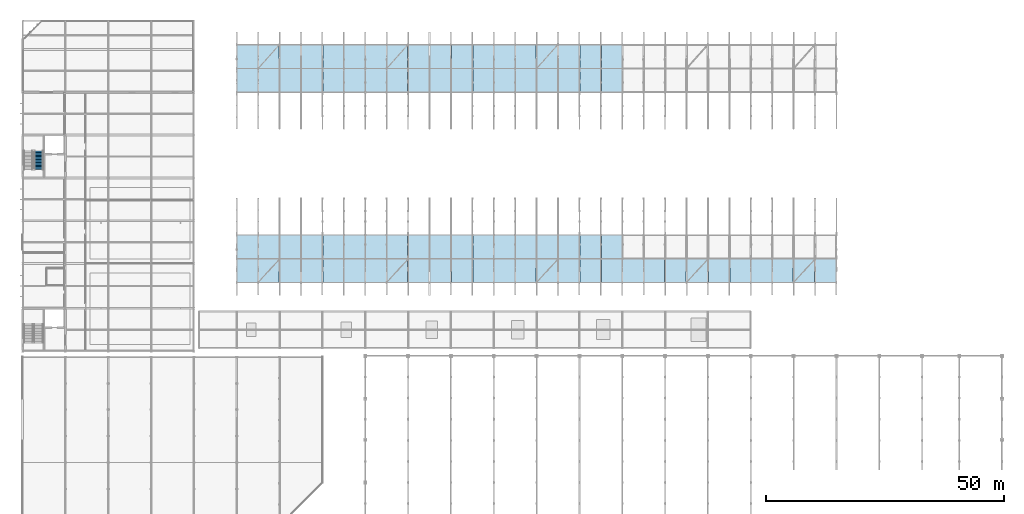
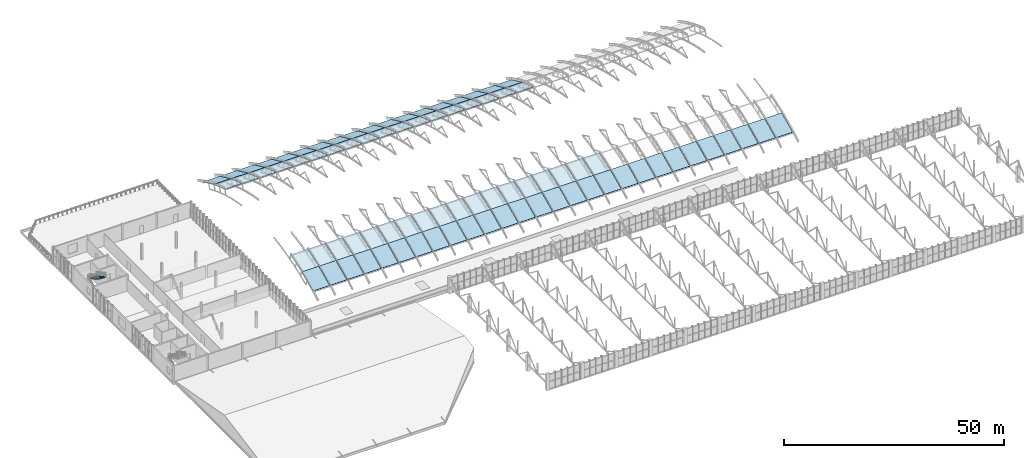
# One storey, part 87 of 103: 82 roofs, 1 stair flight, 1 element without a shape of its own.
"""IFC4 building model written with IfcOpenShell, lengths in metres."""

from ifc_helpers import new_model, si_unit, direction, frame, origin, place, context, subcontext, project, spatial, polyline, outline, extrude, material, type_object, element, aggregate, save


model = new_model("IFC4")

# Units and contexts
model_context = context("Model", 3, precision=1e-05, world=origin(), true_north=direction((0.0, 1.0)))
body_context = subcontext(model_context, "Body", "Model", "MODEL_VIEW")
ifc_project = project(units=[si_unit("LENGTHUNIT", "METRE"), si_unit("AREAUNIT", "SQUARE_METRE"), si_unit("VOLUMEUNIT", "CUBIC_METRE"), si_unit("PLANEANGLEUNIT", "RADIAN"), si_unit("MASSUNIT", "GRAM", prefix="KILO")], contexts=[model_context])

# Site, building, storey
site_placement = place(None, origin())
site = spatial("IfcSite", under=ifc_project, at=site_placement, CompositionType="ELEMENT")
building_placement = place(site_placement, origin())
building = spatial("IfcBuilding", under=site, at=building_placement, Name="Cazmaro Siding Exhibition Halls", CompositionType="ELEMENT")
storey_placement = place(building_placement, frame((0.0, 0.0, 16.5)))
storey = spatial("IfcBuildingStorey", under=building, at=storey_placement, Name="L03", CompositionType="ELEMENT", Elevation=16.5)

# Stair, stair flight
ifc_material_1 = material(Name="Concrete f'c 40 MPa", Category="concrete")
stair_type = type_object("IfcStairType", Name="STT-21", PredefinedType="TWO_STRAIGHT_RUN_STAIR", material=ifc_material_1)
stair_placement = place(storey_placement, origin())
stair = element("IfcStair", 1, at=stair_placement, inside=storey, type_object=stair_type, Name="Core C8 Exit Stair L03-L04 ST-21", PredefinedType="TWO_STRAIGHT_RUN_STAIR")
ifc_material_2 = material(Name="Concrete f'c 40 MPa", Category="concrete")
stair_flight_type = type_object("IfcStairFlightType", Name="STF-21", PredefinedType="STRAIGHT", material=ifc_material_2)
stair_flight_placement = place(storey_placement, frame((3.385009765625, 96.659912109375, 2.25), z_axis=(0.0, 0.0, 1.0), x_axis=(0.0, -1.0, 0.0)))
stair_flight = element("IfcStairFlight", 2, at=stair_flight_placement, type_object=stair_flight_type, Name="ST-21 flight 2", NumberOfRisers=14, NumberOfTreads=13, PredefinedType="STRAIGHT", RiserHeight=0.16071, TreadLength=0.3, context=body_context, shape_type="SweptSolid", body=[
    extrude(outline(polyline([(0.0, 0.0), (0.0, 0.16064453125), (0.300048828125, 0.16064453125), (0.300048828125, 0.321533203125), (0.60009765625, 0.321533203125), (0.60009765625, 0.482177734375), (0.89990234375, 0.482177734375), (0.89990234375, 0.642822265625), (1.199951171875, 0.642822265625), (1.199951171875, 0.803466796875), (1.5, 0.803466796875), (1.5, 0.96435546875), (1.800048828125, 0.96435546875), (1.800048828125, 1.125), (2.10009765625, 1.125), (2.10009765625, 1.28564453125), (2.39990234375, 1.28564453125), (2.39990234375, 1.4462890625), (2.699951171875, 1.4462890625), (2.699951171875, 1.607177734375), (3.0, 1.607177734375), (3.0, 1.767822265625), (3.300048828125, 1.767822265625), (3.300048828125, 1.928466796875), (3.60009765625, 1.928466796875), (3.60009765625, 2.089111328125), (3.89990234375, 2.089111328125), (3.89990234375, 2.25), (3.89990234375, 1.90771484375), (0.338623046875, 0.0), (0.0, 0.0)])), frame((0.0, 0.94482421875, 0.0), z_axis=(0.0, -1.0, 0.0), x_axis=(1.0, 0.0, 0.0)), (0.0, 0.0, 1.0), 1.889892578125),
])
aggregate(stair, [stair_flight])

# Roofs
ifc_material_3 = material(Name="Standing Seam Zinc Insulated Roof Assembly", Category="steel")
roof_type = type_object("IfcRoofType", Name="RF-BARREL-01", PredefinedType="BARREL_ROOF", material=ifc_material_3)
roof_placement = place(storey_placement, frame((45.0849609375, 69.0, 0.56103515625), z_axis=(0.0, -0.421054050781, 0.907035548543), x_axis=(1.0, 0.0, 0.0)))
element("IfcRoof", 3, at=roof_placement, inside=storey, type_object=roof_type, Name="Primary Hall Standing Seam Zinc Roof Cassette RF-V1 002", PredefinedType="BARREL_ROOF", context=body_context, shape_type="SweptSolid", body=[
    extrude(outline(polyline([(0.0, 0.0), (4.330078125, 0.0), (4.330078125, 5.512463109115718), (0.0, 5.512463109115718), (0.0, 0.0)])), origin(), (0.0, 0.0, -1.0), 0.159912109375),
])
for number, where, z_axis, x_axis, name in (
    (4, (45.0849609375, 74.0, 2.882080078125), (0.0, -0.327471825251, 0.94486094409), (1.0, 0.0, 0.0), "Primary Hall Standing Seam Zinc Roof Cassette RF-V1 003"),
    (5, (45.0849609375, 109.0, 4.614990234375), (0.0, 0.327471825251, 0.94486094409), (1.0, 0.0, 0.0), "Primary Hall Standing Seam Zinc Roof Cassette RF-V1 010"),
):
    element("IfcRoof", number, at=place(storey_placement, frame(where, z_axis=z_axis, x_axis=x_axis)), inside=storey, type_object=roof_type, Name=name, PredefinedType="BARREL_ROOF", context=body_context, shape_type="SweptSolid", body=[
        extrude(outline(polyline([(0.0, 0.0), (4.330078125, 0.0), (4.330078125, 5.291783972313534), (0.0, 5.291783972313534), (0.0, 0.0)])), origin(), (0.0, 0.0, -1.0), 0.159912109375),
    ])
for number, where, z_axis, x_axis, name in (
    (6, (45.0849609375, 114.0, 2.882080078125), (0.0, 0.421054050781, 0.907035548543), (1.0, 0.0, 0.0), "Primary Hall Standing Seam Zinc Roof Cassette RF-V1 011"),
    (7, (49.5849609375, 69.0, 0.56103515625), (0.0, -0.421054050781, 0.907035548543), (1.0, 0.0, 0.0), "Primary Hall Standing Seam Zinc Roof Cassette RF-V1 014"),
):
    element("IfcRoof", number, at=place(storey_placement, frame(where, z_axis=z_axis, x_axis=x_axis)), inside=storey, type_object=roof_type, Name=name, PredefinedType="BARREL_ROOF", context=body_context, shape_type="SweptSolid", body=[
        extrude(outline(polyline([(0.0, 0.0), (4.330078125, 0.0), (4.330078125, 5.512463109115718), (0.0, 5.512463109115718), (0.0, 0.0)])), origin(), (0.0, 0.0, -1.0), 0.159912109375),
    ])
for number, where, z_axis, x_axis, name in (
    (8, (49.5849609375, 74.0, 2.882080078125), (0.0, -0.327471825251, 0.94486094409), (1.0, 0.0, 0.0), "Primary Hall Standing Seam Zinc Roof Cassette RF-V1 015"),
    (9, (49.5849609375, 109.0, 4.614990234375), (0.0, 0.327471825251, 0.94486094409), (1.0, 0.0, 0.0), "Primary Hall Standing Seam Zinc Roof Cassette RF-V1 022"),
):
    element("IfcRoof", number, at=place(storey_placement, frame(where, z_axis=z_axis, x_axis=x_axis)), inside=storey, type_object=roof_type, Name=name, PredefinedType="BARREL_ROOF", context=body_context, shape_type="SweptSolid", body=[
        extrude(outline(polyline([(0.0, 0.0), (4.330078125, 0.0), (4.330078125, 5.291783972313534), (0.0, 5.291783972313534), (0.0, 0.0)])), origin(), (0.0, 0.0, -1.0), 0.159912109375),
    ])
for number, where, z_axis, x_axis, name in (
    (10, (49.5849609375, 114.0, 2.882080078125), (0.0, 0.421054050781, 0.907035548543), (1.0, 0.0, 0.0), "Primary Hall Standing Seam Zinc Roof Cassette RF-V1 023"),
    (11, (54.0849609375, 69.0, 0.56103515625), (0.0, -0.421054050781, 0.907035548543), (1.0, 0.0, 0.0), "Primary Hall Standing Seam Zinc Roof Cassette RF-V1 026"),
):
    element("IfcRoof", number, at=place(storey_placement, frame(where, z_axis=z_axis, x_axis=x_axis)), inside=storey, type_object=roof_type, Name=name, PredefinedType="BARREL_ROOF", context=body_context, shape_type="SweptSolid", body=[
        extrude(outline(polyline([(0.0, 0.0), (4.330078125, 0.0), (4.330078125, 5.512463109115718), (0.0, 5.512463109115718), (0.0, 0.0)])), origin(), (0.0, 0.0, -1.0), 0.159912109375),
    ])
for number, where, z_axis, x_axis, name in (
    (12, (54.0849609375, 74.0, 2.882080078125), (0.0, -0.327471825251, 0.94486094409), (1.0, 0.0, 0.0), "Primary Hall Standing Seam Zinc Roof Cassette RF-V1 027"),
    (13, (54.0849609375, 109.0, 4.614990234375), (0.0, 0.327471825251, 0.94486094409), (1.0, 0.0, 0.0), "Primary Hall Standing Seam Zinc Roof Cassette RF-V1 034"),
):
    element("IfcRoof", number, at=place(storey_placement, frame(where, z_axis=z_axis, x_axis=x_axis)), inside=storey, type_object=roof_type, Name=name, PredefinedType="BARREL_ROOF", context=body_context, shape_type="SweptSolid", body=[
        extrude(outline(polyline([(0.0, 0.0), (4.330078125, 0.0), (4.330078125, 5.291783972313534), (0.0, 5.291783972313534), (0.0, 0.0)])), origin(), (0.0, 0.0, -1.0), 0.159912109375),
    ])
for number, where, z_axis, x_axis, name in (
    (14, (54.0849609375, 114.0, 2.882080078125), (0.0, 0.421054050781, 0.907035548543), (1.0, 0.0, 0.0), "Primary Hall Standing Seam Zinc Roof Cassette RF-V1 035"),
    (15, (58.5849609375, 69.0, 0.56103515625), (0.0, -0.421054050781, 0.907035548543), (1.0, 0.0, 0.0), "Primary Hall Standing Seam Zinc Roof Cassette RF-V1 038"),
):
    element("IfcRoof", number, at=place(storey_placement, frame(where, z_axis=z_axis, x_axis=x_axis)), inside=storey, type_object=roof_type, Name=name, PredefinedType="BARREL_ROOF", context=body_context, shape_type="SweptSolid", body=[
        extrude(outline(polyline([(0.0, 0.0), (4.330078125, 0.0), (4.330078125, 5.512463109115718), (0.0, 5.512463109115718), (0.0, 0.0)])), origin(), (0.0, 0.0, -1.0), 0.159912109375),
    ])
for number, where, z_axis, x_axis, name in (
    (16, (58.5849609375, 74.0, 2.882080078125), (0.0, -0.327471825251, 0.94486094409), (1.0, 0.0, 0.0), "Primary Hall Standing Seam Zinc Roof Cassette RF-V1 039"),
    (17, (58.5849609375, 109.0, 4.614990234375), (0.0, 0.327471825251, 0.94486094409), (1.0, 0.0, 0.0), "Primary Hall Standing Seam Zinc Roof Cassette RF-V1 046"),
):
    element("IfcRoof", number, at=place(storey_placement, frame(where, z_axis=z_axis, x_axis=x_axis)), inside=storey, type_object=roof_type, Name=name, PredefinedType="BARREL_ROOF", context=body_context, shape_type="SweptSolid", body=[
        extrude(outline(polyline([(0.0, 0.0), (4.330078125, 0.0), (4.330078125, 5.291783972313534), (0.0, 5.291783972313534), (0.0, 0.0)])), origin(), (0.0, 0.0, -1.0), 0.159912109375),
    ])
for number, where, z_axis, x_axis, name in (
    (18, (58.5849609375, 114.0, 2.882080078125), (0.0, 0.421054050781, 0.907035548543), (1.0, 0.0, 0.0), "Primary Hall Standing Seam Zinc Roof Cassette RF-V1 047"),
    (19, (63.0849609375, 69.0, 0.56103515625), (0.0, -0.421054050781, 0.907035548543), (1.0, 0.0, 0.0), "Primary Hall Standing Seam Zinc Roof Cassette RF-V1 050"),
):
    element("IfcRoof", number, at=place(storey_placement, frame(where, z_axis=z_axis, x_axis=x_axis)), inside=storey, type_object=roof_type, Name=name, PredefinedType="BARREL_ROOF", context=body_context, shape_type="SweptSolid", body=[
        extrude(outline(polyline([(0.0, 0.0), (4.330078125, 0.0), (4.330078125, 5.512463109115718), (0.0, 5.512463109115718), (0.0, 0.0)])), origin(), (0.0, 0.0, -1.0), 0.159912109375),
    ])
for number, where, z_axis, x_axis, name in (
    (20, (63.0849609375, 74.0, 2.882080078125), (0.0, -0.327471825251, 0.94486094409), (1.0, 0.0, 0.0), "Primary Hall Standing Seam Zinc Roof Cassette RF-V1 051"),
    (21, (63.0849609375, 109.0, 4.614990234375), (0.0, 0.327471825251, 0.94486094409), (1.0, 0.0, 0.0), "Primary Hall Standing Seam Zinc Roof Cassette RF-V1 058"),
):
    element("IfcRoof", number, at=place(storey_placement, frame(where, z_axis=z_axis, x_axis=x_axis)), inside=storey, type_object=roof_type, Name=name, PredefinedType="BARREL_ROOF", context=body_context, shape_type="SweptSolid", body=[
        extrude(outline(polyline([(0.0, 0.0), (4.330078125, 0.0), (4.330078125, 5.291783972313534), (0.0, 5.291783972313534), (0.0, 0.0)])), origin(), (0.0, 0.0, -1.0), 0.159912109375),
    ])
for number, where, z_axis, x_axis, name in (
    (22, (63.0849609375, 114.0, 2.882080078125), (0.0, 0.421054050781, 0.907035548543), (1.0, 0.0, 0.0), "Primary Hall Standing Seam Zinc Roof Cassette RF-V1 059"),
    (23, (67.5849609375, 69.0, 0.56103515625), (0.0, -0.421054050781, 0.907035548543), (1.0, 0.0, 0.0), "Primary Hall Standing Seam Zinc Roof Cassette RF-V1 062"),
):
    element("IfcRoof", number, at=place(storey_placement, frame(where, z_axis=z_axis, x_axis=x_axis)), inside=storey, type_object=roof_type, Name=name, PredefinedType="BARREL_ROOF", context=body_context, shape_type="SweptSolid", body=[
        extrude(outline(polyline([(0.0, 0.0), (4.330078125, 0.0), (4.330078125, 5.512463109115718), (0.0, 5.512463109115718), (0.0, 0.0)])), origin(), (0.0, 0.0, -1.0), 0.159912109375),
    ])
for number, where, z_axis, x_axis, name in (
    (24, (67.5849609375, 74.0, 2.882080078125), (0.0, -0.327471825251, 0.94486094409), (1.0, 0.0, 0.0), "Primary Hall Standing Seam Zinc Roof Cassette RF-V1 063"),
    (25, (67.5849609375, 109.0, 4.614990234375), (0.0, 0.327471825251, 0.94486094409), (1.0, 0.0, 0.0), "Primary Hall Standing Seam Zinc Roof Cassette RF-V1 070"),
):
    element("IfcRoof", number, at=place(storey_placement, frame(where, z_axis=z_axis, x_axis=x_axis)), inside=storey, type_object=roof_type, Name=name, PredefinedType="BARREL_ROOF", context=body_context, shape_type="SweptSolid", body=[
        extrude(outline(polyline([(0.0, 0.0), (4.330078125, 0.0), (4.330078125, 5.291783972313534), (0.0, 5.291783972313534), (0.0, 0.0)])), origin(), (0.0, 0.0, -1.0), 0.159912109375),
    ])
for number, where, z_axis, x_axis, name in (
    (26, (67.5849609375, 114.0, 2.882080078125), (0.0, 0.421054050781, 0.907035548543), (1.0, 0.0, 0.0), "Primary Hall Standing Seam Zinc Roof Cassette RF-V1 071"),
    (27, (72.0849609375, 69.0, 0.56103515625), (0.0, -0.421054050781, 0.907035548543), (1.0, 0.0, 0.0), "Primary Hall Standing Seam Zinc Roof Cassette RF-V1 074"),
):
    element("IfcRoof", number, at=place(storey_placement, frame(where, z_axis=z_axis, x_axis=x_axis)), inside=storey, type_object=roof_type, Name=name, PredefinedType="BARREL_ROOF", context=body_context, shape_type="SweptSolid", body=[
        extrude(outline(polyline([(0.0, 0.0), (4.330078125, 0.0), (4.330078125, 5.512463109115718), (0.0, 5.512463109115718), (0.0, 0.0)])), origin(), (0.0, 0.0, -1.0), 0.159912109375),
    ])
for number, where, z_axis, x_axis, name in (
    (28, (72.0849609375, 74.0, 2.882080078125), (0.0, -0.327471825251, 0.94486094409), (1.0, 0.0, 0.0), "Primary Hall Standing Seam Zinc Roof Cassette RF-V1 075"),
    (29, (72.0849609375, 109.0, 4.614990234375), (0.0, 0.327471825251, 0.94486094409), (1.0, 0.0, 0.0), "Primary Hall Standing Seam Zinc Roof Cassette RF-V1 082"),
):
    element("IfcRoof", number, at=place(storey_placement, frame(where, z_axis=z_axis, x_axis=x_axis)), inside=storey, type_object=roof_type, Name=name, PredefinedType="BARREL_ROOF", context=body_context, shape_type="SweptSolid", body=[
        extrude(outline(polyline([(0.0, 0.0), (4.330078125, 0.0), (4.330078125, 5.291783972313534), (0.0, 5.291783972313534), (0.0, 0.0)])), origin(), (0.0, 0.0, -1.0), 0.159912109375),
    ])
for number, where, z_axis, x_axis, name in (
    (30, (72.0849609375, 114.0, 2.882080078125), (0.0, 0.421054050781, 0.907035548543), (1.0, 0.0, 0.0), "Primary Hall Standing Seam Zinc Roof Cassette RF-V1 083"),
    (31, (76.5849609375, 69.0, 0.56103515625), (0.0, -0.421054050781, 0.907035548543), (1.0, 0.0, 0.0), "Primary Hall Standing Seam Zinc Roof Cassette RF-V1 086"),
):
    element("IfcRoof", number, at=place(storey_placement, frame(where, z_axis=z_axis, x_axis=x_axis)), inside=storey, type_object=roof_type, Name=name, PredefinedType="BARREL_ROOF", context=body_context, shape_type="SweptSolid", body=[
        extrude(outline(polyline([(0.0, 0.0), (4.330078125, 0.0), (4.330078125, 5.512463109115718), (0.0, 5.512463109115718), (0.0, 0.0)])), origin(), (0.0, 0.0, -1.0), 0.159912109375),
    ])
for number, where, z_axis, x_axis, name in (
    (32, (76.5849609375, 74.0, 2.882080078125), (0.0, -0.327471825251, 0.94486094409), (1.0, 0.0, 0.0), "Primary Hall Standing Seam Zinc Roof Cassette RF-V1 087"),
    (33, (76.5849609375, 109.0, 4.614990234375), (0.0, 0.327471825251, 0.94486094409), (1.0, 0.0, 0.0), "Primary Hall Standing Seam Zinc Roof Cassette RF-V1 094"),
):
    element("IfcRoof", number, at=place(storey_placement, frame(where, z_axis=z_axis, x_axis=x_axis)), inside=storey, type_object=roof_type, Name=name, PredefinedType="BARREL_ROOF", context=body_context, shape_type="SweptSolid", body=[
        extrude(outline(polyline([(0.0, 0.0), (4.330078125, 0.0), (4.330078125, 5.291783972313534), (0.0, 5.291783972313534), (0.0, 0.0)])), origin(), (0.0, 0.0, -1.0), 0.159912109375),
    ])
for number, where, z_axis, x_axis, name in (
    (34, (76.5849609375, 114.0, 2.882080078125), (0.0, 0.421054050781, 0.907035548543), (1.0, 0.0, 0.0), "Primary Hall Standing Seam Zinc Roof Cassette RF-V1 095"),
    (35, (81.0849609375, 69.0, 0.56103515625), (0.0, -0.421054050781, 0.907035548543), (1.0, 0.0, 0.0), "Primary Hall Standing Seam Zinc Roof Cassette RF-V1 098"),
):
    element("IfcRoof", number, at=place(storey_placement, frame(where, z_axis=z_axis, x_axis=x_axis)), inside=storey, type_object=roof_type, Name=name, PredefinedType="BARREL_ROOF", context=body_context, shape_type="SweptSolid", body=[
        extrude(outline(polyline([(0.0, 0.0), (4.330078125, 0.0), (4.330078125, 5.512463109115718), (0.0, 5.512463109115718), (0.0, 0.0)])), origin(), (0.0, 0.0, -1.0), 0.159912109375),
    ])
for number, where, z_axis, x_axis, name in (
    (36, (81.0849609375, 74.0, 2.882080078125), (0.0, -0.327471825251, 0.94486094409), (1.0, 0.0, 0.0), "Primary Hall Standing Seam Zinc Roof Cassette RF-V1 099"),
    (37, (81.0849609375, 109.0, 4.614990234375), (0.0, 0.327471825251, 0.94486094409), (1.0, 0.0, 0.0), "Primary Hall Standing Seam Zinc Roof Cassette RF-V1 106"),
):
    element("IfcRoof", number, at=place(storey_placement, frame(where, z_axis=z_axis, x_axis=x_axis)), inside=storey, type_object=roof_type, Name=name, PredefinedType="BARREL_ROOF", context=body_context, shape_type="SweptSolid", body=[
        extrude(outline(polyline([(0.0, 0.0), (4.330078125, 0.0), (4.330078125, 5.291783972313534), (0.0, 5.291783972313534), (0.0, 0.0)])), origin(), (0.0, 0.0, -1.0), 0.159912109375),
    ])
for number, where, z_axis, x_axis, name in (
    (38, (81.0849609375, 114.0, 2.882080078125), (0.0, 0.421054050781, 0.907035548543), (1.0, 0.0, 0.0), "Primary Hall Standing Seam Zinc Roof Cassette RF-V1 107"),
    (39, (85.5849609375, 69.0, 0.56103515625), (0.0, -0.421054050781, 0.907035548543), (1.0, 0.0, 0.0), "Primary Hall Standing Seam Zinc Roof Cassette RF-V1 110"),
):
    element("IfcRoof", number, at=place(storey_placement, frame(where, z_axis=z_axis, x_axis=x_axis)), inside=storey, type_object=roof_type, Name=name, PredefinedType="BARREL_ROOF", context=body_context, shape_type="SweptSolid", body=[
        extrude(outline(polyline([(0.0, 0.0), (4.330078125, 0.0), (4.330078125, 5.512463109115718), (0.0, 5.512463109115718), (0.0, 0.0)])), origin(), (0.0, 0.0, -1.0), 0.159912109375),
    ])
for number, where, z_axis, x_axis, name in (
    (40, (85.5849609375, 74.0, 2.882080078125), (0.0, -0.327471825251, 0.94486094409), (1.0, 0.0, 0.0), "Primary Hall Standing Seam Zinc Roof Cassette RF-V1 111"),
    (41, (85.5849609375, 109.0, 4.614990234375), (0.0, 0.327471825251, 0.94486094409), (1.0, 0.0, 0.0), "Primary Hall Standing Seam Zinc Roof Cassette RF-V1 118"),
):
    element("IfcRoof", number, at=place(storey_placement, frame(where, z_axis=z_axis, x_axis=x_axis)), inside=storey, type_object=roof_type, Name=name, PredefinedType="BARREL_ROOF", context=body_context, shape_type="SweptSolid", body=[
        extrude(outline(polyline([(0.0, 0.0), (4.330078125, 0.0), (4.330078125, 5.291783972313534), (0.0, 5.291783972313534), (0.0, 0.0)])), origin(), (0.0, 0.0, -1.0), 0.159912109375),
    ])
for number, where, z_axis, x_axis, name in (
    (42, (85.5849609375, 114.0, 2.882080078125), (0.0, 0.421054050781, 0.907035548543), (1.0, 0.0, 0.0), "Primary Hall Standing Seam Zinc Roof Cassette RF-V1 119"),
    (43, (90.0849609375, 69.0, 0.56103515625), (0.0, -0.421054050781, 0.907035548543), (1.0, 0.0, 0.0), "Primary Hall Standing Seam Zinc Roof Cassette RF-V1 122"),
):
    element("IfcRoof", number, at=place(storey_placement, frame(where, z_axis=z_axis, x_axis=x_axis)), inside=storey, type_object=roof_type, Name=name, PredefinedType="BARREL_ROOF", context=body_context, shape_type="SweptSolid", body=[
        extrude(outline(polyline([(0.0, 0.0), (4.330078125, 0.0), (4.330078125, 5.512463109115718), (0.0, 5.512463109115718), (0.0, 0.0)])), origin(), (0.0, 0.0, -1.0), 0.159912109375),
    ])
for number, where, z_axis, x_axis, name in (
    (44, (90.0849609375, 74.0, 2.882080078125), (0.0, -0.327471825251, 0.94486094409), (1.0, 0.0, 0.0), "Primary Hall Standing Seam Zinc Roof Cassette RF-V1 123"),
    (45, (90.0849609375, 109.0, 4.614990234375), (0.0, 0.327471825251, 0.94486094409), (1.0, 0.0, 0.0), "Primary Hall Standing Seam Zinc Roof Cassette RF-V1 130"),
):
    element("IfcRoof", number, at=place(storey_placement, frame(where, z_axis=z_axis, x_axis=x_axis)), inside=storey, type_object=roof_type, Name=name, PredefinedType="BARREL_ROOF", context=body_context, shape_type="SweptSolid", body=[
        extrude(outline(polyline([(0.0, 0.0), (4.330078125, 0.0), (4.330078125, 5.291783972313534), (0.0, 5.291783972313534), (0.0, 0.0)])), origin(), (0.0, 0.0, -1.0), 0.159912109375),
    ])
for number, where, z_axis, x_axis, name in (
    (46, (90.0849609375, 114.0, 2.882080078125), (0.0, 0.421054050781, 0.907035548543), (1.0, 0.0, 0.0), "Primary Hall Standing Seam Zinc Roof Cassette RF-V1 131"),
    (47, (94.5849609375, 69.0, 0.56103515625), (0.0, -0.421054050781, 0.907035548543), (1.0, 0.0, 0.0), "Primary Hall Standing Seam Zinc Roof Cassette RF-V1 134"),
):
    element("IfcRoof", number, at=place(storey_placement, frame(where, z_axis=z_axis, x_axis=x_axis)), inside=storey, type_object=roof_type, Name=name, PredefinedType="BARREL_ROOF", context=body_context, shape_type="SweptSolid", body=[
        extrude(outline(polyline([(0.0, 0.0), (4.330078125, 0.0), (4.330078125, 5.512463109115718), (0.0, 5.512463109115718), (0.0, 0.0)])), origin(), (0.0, 0.0, -1.0), 0.159912109375),
    ])
for number, where, z_axis, x_axis, name in (
    (48, (94.5849609375, 74.0, 2.882080078125), (0.0, -0.327471825251, 0.94486094409), (1.0, 0.0, 0.0), "Primary Hall Standing Seam Zinc Roof Cassette RF-V1 135"),
    (49, (94.5849609375, 109.0, 4.614990234375), (0.0, 0.327471825251, 0.94486094409), (1.0, 0.0, 0.0), "Primary Hall Standing Seam Zinc Roof Cassette RF-V1 142"),
):
    element("IfcRoof", number, at=place(storey_placement, frame(where, z_axis=z_axis, x_axis=x_axis)), inside=storey, type_object=roof_type, Name=name, PredefinedType="BARREL_ROOF", context=body_context, shape_type="SweptSolid", body=[
        extrude(outline(polyline([(0.0, 0.0), (4.330078125, 0.0), (4.330078125, 5.291783972313534), (0.0, 5.291783972313534), (0.0, 0.0)])), origin(), (0.0, 0.0, -1.0), 0.159912109375),
    ])
for number, where, z_axis, x_axis, name in (
    (50, (94.5849609375, 114.0, 2.882080078125), (0.0, 0.421054050781, 0.907035548543), (1.0, 0.0, 0.0), "Primary Hall Standing Seam Zinc Roof Cassette RF-V1 143"),
    (51, (99.0849609375, 69.0, 0.56103515625), (0.0, -0.421054050781, 0.907035548543), (1.0, 0.0, 0.0), "Primary Hall Standing Seam Zinc Roof Cassette RF-V1 146"),
):
    element("IfcRoof", number, at=place(storey_placement, frame(where, z_axis=z_axis, x_axis=x_axis)), inside=storey, type_object=roof_type, Name=name, PredefinedType="BARREL_ROOF", context=body_context, shape_type="SweptSolid", body=[
        extrude(outline(polyline([(0.0, 0.0), (4.330078125, 0.0), (4.330078125, 5.512463109115718), (0.0, 5.512463109115718), (0.0, 0.0)])), origin(), (0.0, 0.0, -1.0), 0.159912109375),
    ])
for number, where, z_axis, x_axis, name in (
    (52, (99.0849609375, 74.0, 2.882080078125), (0.0, -0.327471825251, 0.94486094409), (1.0, 0.0, 0.0), "Primary Hall Standing Seam Zinc Roof Cassette RF-V1 147"),
    (53, (99.0849609375, 109.0, 4.614990234375), (0.0, 0.327471825251, 0.94486094409), (1.0, 0.0, 0.0), "Primary Hall Standing Seam Zinc Roof Cassette RF-V1 154"),
):
    element("IfcRoof", number, at=place(storey_placement, frame(where, z_axis=z_axis, x_axis=x_axis)), inside=storey, type_object=roof_type, Name=name, PredefinedType="BARREL_ROOF", context=body_context, shape_type="SweptSolid", body=[
        extrude(outline(polyline([(0.0, 0.0), (4.330078125, 0.0), (4.330078125, 5.291783972313534), (0.0, 5.291783972313534), (0.0, 0.0)])), origin(), (0.0, 0.0, -1.0), 0.159912109375),
    ])
for number, where, z_axis, x_axis, name in (
    (54, (99.0849609375, 114.0, 2.882080078125), (0.0, 0.421054050781, 0.907035548543), (1.0, 0.0, 0.0), "Primary Hall Standing Seam Zinc Roof Cassette RF-V1 155"),
    (55, (103.5849609375, 69.0, 0.56103515625), (0.0, -0.421054050781, 0.907035548543), (1.0, 0.0, 0.0), "Primary Hall Standing Seam Zinc Roof Cassette RF-V1 158"),
):
    element("IfcRoof", number, at=place(storey_placement, frame(where, z_axis=z_axis, x_axis=x_axis)), inside=storey, type_object=roof_type, Name=name, PredefinedType="BARREL_ROOF", context=body_context, shape_type="SweptSolid", body=[
        extrude(outline(polyline([(0.0, 0.0), (4.330078125, 0.0), (4.330078125, 5.512463109115718), (0.0, 5.512463109115718), (0.0, 0.0)])), origin(), (0.0, 0.0, -1.0), 0.159912109375),
    ])
for number, where, z_axis, x_axis, name in (
    (56, (103.5849609375, 74.0, 2.882080078125), (0.0, -0.327471825251, 0.94486094409), (1.0, 0.0, 0.0), "Primary Hall Standing Seam Zinc Roof Cassette RF-V1 159"),
    (57, (103.5849609375, 109.0, 4.614990234375), (0.0, 0.327471825251, 0.94486094409), (1.0, 0.0, 0.0), "Primary Hall Standing Seam Zinc Roof Cassette RF-V1 166"),
):
    element("IfcRoof", number, at=place(storey_placement, frame(where, z_axis=z_axis, x_axis=x_axis)), inside=storey, type_object=roof_type, Name=name, PredefinedType="BARREL_ROOF", context=body_context, shape_type="SweptSolid", body=[
        extrude(outline(polyline([(0.0, 0.0), (4.330078125, 0.0), (4.330078125, 5.291783972313534), (0.0, 5.291783972313534), (0.0, 0.0)])), origin(), (0.0, 0.0, -1.0), 0.159912109375),
    ])
for number, where, z_axis, x_axis, name in (
    (58, (103.5849609375, 114.0, 2.882080078125), (0.0, 0.421054050781, 0.907035548543), (1.0, 0.0, 0.0), "Primary Hall Standing Seam Zinc Roof Cassette RF-V1 167"),
    (59, (108.0849609375, 69.0, 0.56103515625), (0.0, -0.421054050781, 0.907035548543), (1.0, 0.0, 0.0), "Primary Hall Standing Seam Zinc Roof Cassette RF-V1 170"),
):
    element("IfcRoof", number, at=place(storey_placement, frame(where, z_axis=z_axis, x_axis=x_axis)), inside=storey, type_object=roof_type, Name=name, PredefinedType="BARREL_ROOF", context=body_context, shape_type="SweptSolid", body=[
        extrude(outline(polyline([(0.0, 0.0), (4.330078125, 0.0), (4.330078125, 5.512463109115718), (0.0, 5.512463109115718), (0.0, 0.0)])), origin(), (0.0, 0.0, -1.0), 0.159912109375),
    ])
for number, where, z_axis, x_axis, name in (
    (60, (108.0849609375, 74.0, 2.882080078125), (0.0, -0.327471825251, 0.94486094409), (1.0, 0.0, 0.0), "Primary Hall Standing Seam Zinc Roof Cassette RF-V1 171"),
    (61, (108.0849609375, 109.0, 4.614990234375), (0.0, 0.327471825251, 0.94486094409), (1.0, 0.0, 0.0), "Primary Hall Standing Seam Zinc Roof Cassette RF-V1 178"),
):
    element("IfcRoof", number, at=place(storey_placement, frame(where, z_axis=z_axis, x_axis=x_axis)), inside=storey, type_object=roof_type, Name=name, PredefinedType="BARREL_ROOF", context=body_context, shape_type="SweptSolid", body=[
        extrude(outline(polyline([(0.0, 0.0), (4.330078125, 0.0), (4.330078125, 5.291783972313534), (0.0, 5.291783972313534), (0.0, 0.0)])), origin(), (0.0, 0.0, -1.0), 0.159912109375),
    ])
for number, where, z_axis, x_axis, name in (
    (62, (108.0849609375, 114.0, 2.882080078125), (0.0, 0.421054050781, 0.907035548543), (1.0, 0.0, 0.0), "Primary Hall Standing Seam Zinc Roof Cassette RF-V1 179"),
    (63, (112.5849609375, 69.0, 0.56103515625), (0.0, -0.421054050781, 0.907035548543), (1.0, 0.0, 0.0), "Primary Hall Standing Seam Zinc Roof Cassette RF-V1 182"),
):
    element("IfcRoof", number, at=place(storey_placement, frame(where, z_axis=z_axis, x_axis=x_axis)), inside=storey, type_object=roof_type, Name=name, PredefinedType="BARREL_ROOF", context=body_context, shape_type="SweptSolid", body=[
        extrude(outline(polyline([(0.0, 0.0), (4.330078125, 0.0), (4.330078125, 5.512463109115718), (0.0, 5.512463109115718), (0.0, 0.0)])), origin(), (0.0, 0.0, -1.0), 0.159912109375),
    ])
for number, where, z_axis, x_axis, name in (
    (64, (112.5849609375, 74.0, 2.882080078125), (0.0, -0.327471825251, 0.94486094409), (1.0, 0.0, 0.0), "Primary Hall Standing Seam Zinc Roof Cassette RF-V1 183"),
    (65, (112.5849609375, 109.0, 4.614990234375), (0.0, 0.327471825251, 0.94486094409), (1.0, 0.0, 0.0), "Primary Hall Standing Seam Zinc Roof Cassette RF-V1 190"),
):
    element("IfcRoof", number, at=place(storey_placement, frame(where, z_axis=z_axis, x_axis=x_axis)), inside=storey, type_object=roof_type, Name=name, PredefinedType="BARREL_ROOF", context=body_context, shape_type="SweptSolid", body=[
        extrude(outline(polyline([(0.0, 0.0), (4.330078125, 0.0), (4.330078125, 5.291783972313534), (0.0, 5.291783972313534), (0.0, 0.0)])), origin(), (0.0, 0.0, -1.0), 0.159912109375),
    ])
for number, where, z_axis, x_axis, name in (
    (66, (112.5849609375, 114.0, 2.882080078125), (0.0, 0.421054050781, 0.907035548543), (1.0, 0.0, 0.0), "Primary Hall Standing Seam Zinc Roof Cassette RF-V1 191"),
    (67, (117.0849609375, 69.0, 0.56103515625), (0.0, -0.421054050781, 0.907035548543), (1.0, 0.0, 0.0), "Primary Hall Standing Seam Zinc Roof Cassette RF-V1 194"),
):
    element("IfcRoof", number, at=place(storey_placement, frame(where, z_axis=z_axis, x_axis=x_axis)), inside=storey, type_object=roof_type, Name=name, PredefinedType="BARREL_ROOF", context=body_context, shape_type="SweptSolid", body=[
        extrude(outline(polyline([(0.0, 0.0), (4.330078125, 0.0), (4.330078125, 5.512463109115718), (0.0, 5.512463109115718), (0.0, 0.0)])), origin(), (0.0, 0.0, -1.0), 0.159912109375),
    ])
for number, where, z_axis, x_axis, name in (
    (68, (117.0849609375, 74.0, 2.882080078125), (0.0, -0.327471825251, 0.94486094409), (1.0, 0.0, 0.0), "Primary Hall Standing Seam Zinc Roof Cassette RF-V1 195"),
    (69, (117.0849609375, 109.0, 4.614990234375), (0.0, 0.327471825251, 0.94486094409), (1.0, 0.0, 0.0), "Primary Hall Standing Seam Zinc Roof Cassette RF-V1 202"),
):
    element("IfcRoof", number, at=place(storey_placement, frame(where, z_axis=z_axis, x_axis=x_axis)), inside=storey, type_object=roof_type, Name=name, PredefinedType="BARREL_ROOF", context=body_context, shape_type="SweptSolid", body=[
        extrude(outline(polyline([(0.0, 0.0), (4.330078125, 0.0), (4.330078125, 5.291783972313534), (0.0, 5.291783972313534), (0.0, 0.0)])), origin(), (0.0, 0.0, -1.0), 0.159912109375),
    ])
for number, where, z_axis, x_axis, name in (
    (70, (117.0849609375, 114.0, 2.882080078125), (0.0, 0.421054050781, 0.907035548543), (1.0, 0.0, 0.0), "Primary Hall Standing Seam Zinc Roof Cassette RF-V1 203"),
    (71, (121.5849609375, 69.0, 0.56103515625), (0.0, -0.421054050781, 0.907035548543), (1.0, 0.0, 0.0), "Primary Hall Standing Seam Zinc Roof Cassette RF-V1 206"),
):
    element("IfcRoof", number, at=place(storey_placement, frame(where, z_axis=z_axis, x_axis=x_axis)), inside=storey, type_object=roof_type, Name=name, PredefinedType="BARREL_ROOF", context=body_context, shape_type="SweptSolid", body=[
        extrude(outline(polyline([(0.0, 0.0), (4.330078125, 0.0), (4.330078125, 5.512463109115718), (0.0, 5.512463109115718), (0.0, 0.0)])), origin(), (0.0, 0.0, -1.0), 0.159912109375),
    ])
for number, where, z_axis, x_axis, name in (
    (72, (121.5849609375, 74.0, 2.882080078125), (0.0, -0.327471825251, 0.94486094409), (1.0, 0.0, 0.0), "Primary Hall Standing Seam Zinc Roof Cassette RF-V1 207"),
    (73, (121.5849609375, 109.0, 4.614990234375), (0.0, 0.327471825251, 0.94486094409), (1.0, 0.0, 0.0), "Primary Hall Standing Seam Zinc Roof Cassette RF-V1 214"),
):
    element("IfcRoof", number, at=place(storey_placement, frame(where, z_axis=z_axis, x_axis=x_axis)), inside=storey, type_object=roof_type, Name=name, PredefinedType="BARREL_ROOF", context=body_context, shape_type="SweptSolid", body=[
        extrude(outline(polyline([(0.0, 0.0), (4.330078125, 0.0), (4.330078125, 5.291783972313534), (0.0, 5.291783972313534), (0.0, 0.0)])), origin(), (0.0, 0.0, -1.0), 0.159912109375),
    ])
for number, where, z_axis, x_axis, name in (
    (74, (121.5849609375, 114.0, 2.882080078125), (0.0, 0.421054050781, 0.907035548543), (1.0, 0.0, 0.0), "Primary Hall Standing Seam Zinc Roof Cassette RF-V1 215"),
    (75, (126.0849609375, 69.0, 0.56103515625), (0.0, -0.421054050781, 0.907035548543), (1.0, 0.0, 0.0), "Primary Hall Standing Seam Zinc Roof Cassette RF-V1 218"),
    (76, (130.5849609375, 69.0, 0.56103515625), (0.0, -0.421054050781, 0.907035548543), (1.0, 0.0, 0.0), "Primary Hall Standing Seam Zinc Roof Cassette RF-V1 230"),
    (77, (135.0849609375, 69.0, 0.56103515625), (0.0, -0.421054050781, 0.907035548543), (1.0, 0.0, 0.0), "Primary Hall Standing Seam Zinc Roof Cassette RF-V1 242"),
    (78, (139.5849609375, 69.0, 0.56103515625), (0.0, -0.421054050781, 0.907035548543), (1.0, 0.0, 0.0), "Primary Hall Standing Seam Zinc Roof Cassette RF-V1 254"),
    (79, (144.0849609375, 69.0, 0.56103515625), (0.0, -0.421054050781, 0.907035548543), (1.0, 0.0, 0.0), "Primary Hall Standing Seam Zinc Roof Cassette RF-V1 266"),
    (80, (148.5849609375, 69.0, 0.56103515625), (0.0, -0.421054050781, 0.907035548543), (1.0, 0.0, 0.0), "Primary Hall Standing Seam Zinc Roof Cassette RF-V1 278"),
    (81, (153.0849609375, 69.0, 0.56103515625), (0.0, -0.421054050781, 0.907035548543), (1.0, 0.0, 0.0), "Primary Hall Standing Seam Zinc Roof Cassette RF-V1 290"),
    (82, (157.5849609375, 69.0, 0.56103515625), (0.0, -0.421054050781, 0.907035548543), (1.0, 0.0, 0.0), "Primary Hall Standing Seam Zinc Roof Cassette RF-V1 302"),
    (83, (162.0849609375, 69.0, 0.56103515625), (0.0, -0.421054050781, 0.907035548543), (1.0, 0.0, 0.0), "Primary Hall Standing Seam Zinc Roof Cassette RF-V1 314"),
    (84, (166.5849609375, 69.0, 0.56103515625), (0.0, -0.421054050781, 0.907035548543), (1.0, 0.0, 0.0), "Primary Hall Standing Seam Zinc Roof Cassette RF-V1 326"),
):
    element("IfcRoof", number, at=place(storey_placement, frame(where, z_axis=z_axis, x_axis=x_axis)), inside=storey, type_object=roof_type, Name=name, PredefinedType="BARREL_ROOF", context=body_context, shape_type="SweptSolid", body=[
        extrude(outline(polyline([(0.0, 0.0), (4.330078125, 0.0), (4.330078125, 5.512463109115718), (0.0, 5.512463109115718), (0.0, 0.0)])), origin(), (0.0, 0.0, -1.0), 0.159912109375),
    ])

save(model, "model.ifc")
